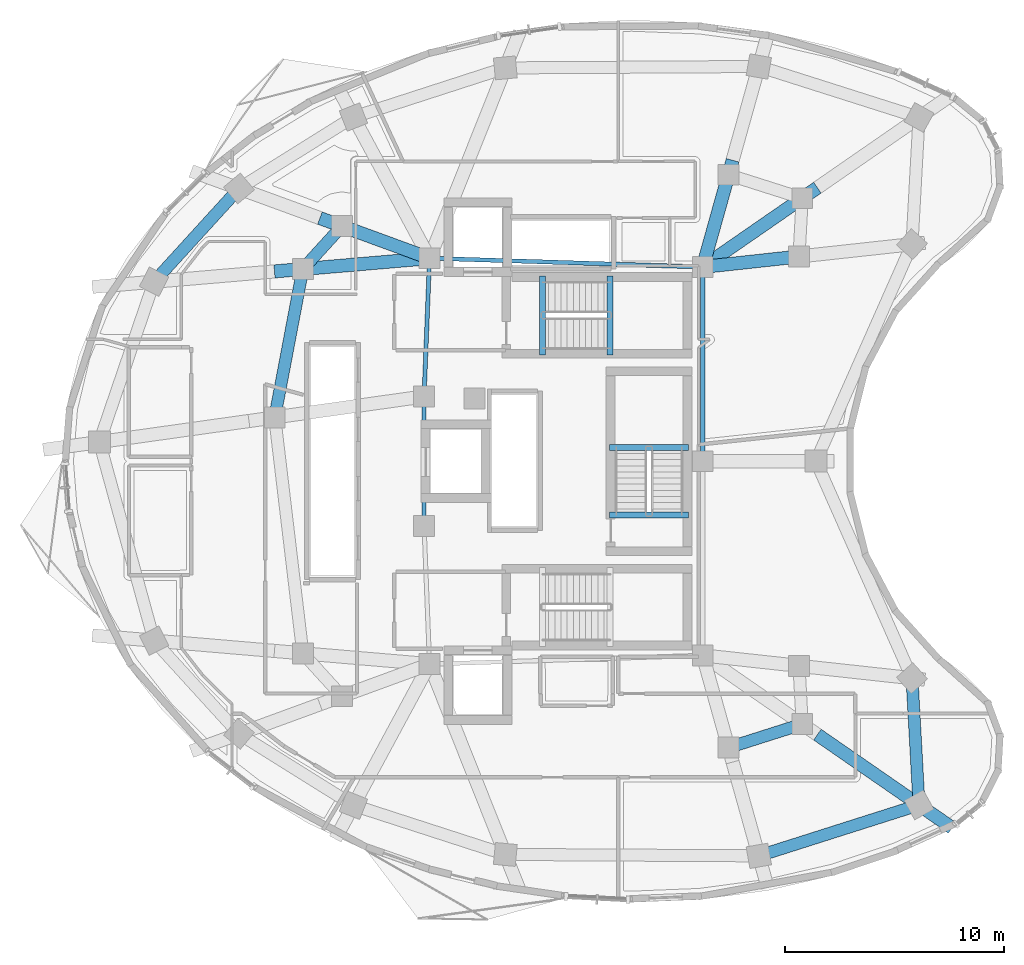
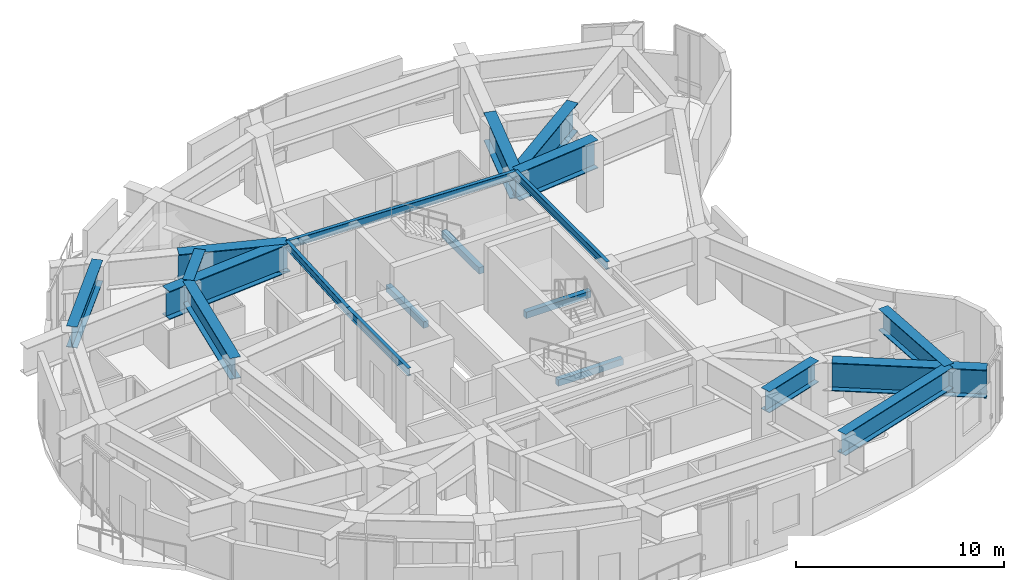
# One storey, part 3 of 13: 20 beams.
"""IFC4 building model written with IfcOpenShell, lengths in metres."""

from ifc_helpers import new_model, si_unit, direction, frame, origin, origin_2d, place, context, subcontext, project, spatial, rectangle, i_section, extrude, material, material_profile, profile_set, type_object, element, save


model = new_model("IFC4")

# Units and contexts
model_context = context("Model", 3, precision=1e-05, world=origin(), true_north=direction((0.0, 1.0)))
body_context = subcontext(model_context, "Body", "Model", "MODEL_VIEW")
ifc_project = project(units=[si_unit("LENGTHUNIT", "METRE"), si_unit("AREAUNIT", "SQUARE_METRE"), si_unit("VOLUMEUNIT", "CUBIC_METRE"), si_unit("PLANEANGLEUNIT", "RADIAN"), si_unit("MASSUNIT", "GRAM", prefix="KILO")], contexts=[model_context])

# Site, building, storey
site_placement = place(None, origin())
site = spatial("IfcSite", under=ifc_project, at=site_placement, CompositionType="ELEMENT")
building_placement = place(site_placement, origin())
building = spatial("IfcBuilding", under=site, at=building_placement, Name="Korentha Bioscience Tower", CompositionType="ELEMENT")
storey_placement = place(building_placement, frame((0.0, 0.0, 208.800048828125)))
storey = spatial("IfcBuildingStorey", under=building, at=storey_placement, Name="L48", CompositionType="ELEMENT", Elevation=208.800048828125)

# Beams
ifc_material_1 = material(Name="Concrete C50", Category="concrete")
ifc_material_profile_1 = material_profile(ifc_material_1, rectangle(XDim=0.280029296875, YDim=0.3798828125, at=origin_2d()), Name="Concrete C50")
ifc_profile_set_1 = profile_set([ifc_material_profile_1], Name="Concrete C50 (ST-HB380)")
beam_type_1 = type_object("IfcBeamType", Name="Concrete Stair Header Beam RC 280x380", PredefinedType="BEAM", material=ifc_profile_set_1)
for number, where, z_axis, x_axis, name in (
    (1, (30.25, 31.85009765625, -0.18994140625), (0.0, 1.0, 0.0), (-1.0, 0.0, 0.0), "L48 ST-1 Concrete Stair Header Beam"),
    (2, (33.330078125, 31.85009765625, 1.909912109375), (0.0, 1.0, 0.0), (-1.0, 0.0, 0.0), "L48 ST-1 Half-Landing Header Beam 1"),
    (3, (36.89990234375, 24.550048828125, -0.18994140625), (-1.0, 0.0, 0.0), (0.0, -1.0, 0.0), "L48 ST-3 Concrete Stair Header Beam"),
    (4, (36.89990234375, 27.6298828125, 1.909912109375), (-1.0, 0.0, 0.0), (0.0, -1.0, 0.0), "L48 ST-3 Half-Landing Header Beam 1"),
):
    element("IfcBeam", number, at=place(storey_placement, frame(where, z_axis=z_axis, x_axis=x_axis)), inside=storey, type_object=beam_type_1, Name=name, PredefinedType="BEAM", context=body_context, shape_type="SweptSolid", body=[
        extrude(rectangle(XDim=0.280029296875, YDim=0.3798828125, at=origin_2d()), origin(), (0.0, 0.0, 1.0), 3.599853515625),
    ])
ifc_material_2 = material(Name="Steel S355", Category="steel")
ifc_material_profile_2 = material_profile(ifc_material_2, i_section(OverallWidth=0.550048828125, OverallDepth=1.25, WebThickness=0.02392578125, FlangeThickness=0.0400390625, at=origin_2d()), Name="Steel S355")
ifc_profile_set_2 = profile_set([ifc_material_profile_2], Name="Steel S355 (TG-03)")
beam_type_2 = type_object("IfcBeamType", Name="Crown Step Transfer Girder CVS 1250x510", PredefinedType="USERDEFINED", material=ifc_profile_set_2)
beam_1_placement = place(storey_placement, frame((21.105224609375, 37.711669921875, 3.2548828125), z_axis=(-0.673513544519, -0.739174881438, 0.0), x_axis=(0.739174881438, -0.673513544519, 0.0)))
element("IfcBeam", 5, at=beam_1_placement, inside=storey, type_object=beam_type_2, Name="L48 Mid-Ring Tie Girder 05", ObjectType="TRANSFER_GIRDER", PredefinedType="USERDEFINED", context=body_context, shape_type="SweptSolid", body=[
    extrude(i_section(OverallWidth=0.550048828125, OverallDepth=1.25, WebThickness=0.02392578125, FlangeThickness=0.0400390625, at=origin_2d()), origin(), (0.0, 0.0, 1.0), 2.6435546875),
])
beam_2_placement = place(storey_placement, frame((19.32470703125, 35.757568359375, 3.2548828125), z_axis=(-0.18622207702, -0.982507678357, 0.0), x_axis=(0.982507678357, -0.18622207702, 0.0)))
element("IfcBeam", 6, at=beam_2_placement, inside=storey, type_object=beam_type_2, Name="L48 Mid-Ring Tie Girder 06", ObjectType="TRANSFER_GIRDER", PredefinedType="USERDEFINED", context=body_context, shape_type="SweptSolid", body=[
    extrude(i_section(OverallWidth=0.550048828125, OverallDepth=1.25, WebThickness=0.02392578125, FlangeThickness=0.0400390625, at=origin_2d()), origin(), (0.0, 0.0, 1.0), 6.8828125),
])
beam_3_placement = place(storey_placement, frame((38.72607421875, 13.947021484375, 3.2548828125), z_axis=(0.953017639844, 0.302914803446, 0.0), x_axis=(-0.302914803446, 0.953017639844, 0.0)))
element("IfcBeam", 7, at=beam_3_placement, inside=storey, type_object=beam_type_2, Name="L48 Mid-Ring Tie Girder 12", ObjectType="TRANSFER_GIRDER", PredefinedType="USERDEFINED", context=body_context, shape_type="SweptSolid", body=[
    extrude(i_section(OverallWidth=0.550048828125, OverallDepth=1.25, WebThickness=0.02392578125, FlangeThickness=0.0400390625, at=origin_2d()), origin(), (0.0, 0.0, 1.0), 3.523681640625),
])
beam_4_placement = place(storey_placement, frame((16.415771484375, 39.427490234375, 3.2548828125), z_axis=(-0.673503408544, -0.739184116902, 0.0), x_axis=(0.739184116902, -0.673503408544, 0.0)))
element("IfcBeam", 8, at=beam_4_placement, inside=storey, type_object=beam_type_2, Name="L48 Perimeter Spandrel Girder 05", ObjectType="TRANSFER_GIRDER", PredefinedType="USERDEFINED", context=body_context, shape_type="SweptSolid", body=[
    extrude(i_section(OverallWidth=0.550048828125, OverallDepth=1.25, WebThickness=0.02392578125, FlangeThickness=0.0400390625, at=origin_2d()), origin(), (0.0, 0.0, 1.0), 5.74658203125),
])
beam_5_placement = place(storey_placement, frame((40.106689453125, 9.012939453125, 3.2548828125), z_axis=(0.953001929023, 0.30296422772, 0.0), x_axis=(-0.30296422772, 0.953001929023, 0.0)))
element("IfcBeam", 9, at=beam_5_placement, inside=storey, type_object=beam_type_2, Name="L48 Perimeter Spandrel Girder 12", ObjectType="TRANSFER_GIRDER", PredefinedType="USERDEFINED", context=body_context, shape_type="SweptSolid", body=[
    extrude(i_section(OverallWidth=0.550048828125, OverallDepth=1.25, WebThickness=0.02392578125, FlangeThickness=0.0400390625, at=origin_2d()), origin(), (0.0, 0.0, 1.0), 7.660400390625),
])
beam_6_placement = place(storey_placement, frame((47.406982421875, 11.333740234375, 3.2548828125), z_axis=(-0.055107780824, 0.998480411672, 0.0), x_axis=(-0.998480411672, -0.055107780824, 0.0)))
element("IfcBeam", 10, at=beam_6_placement, inside=storey, type_object=beam_type_2, Name="L48 Perimeter Spandrel Girder 13", ObjectType="TRANSFER_GIRDER", PredefinedType="USERDEFINED", context=body_context, shape_type="SweptSolid", body=[
    extrude(i_section(OverallWidth=0.550048828125, OverallDepth=1.25, WebThickness=0.02392578125, FlangeThickness=0.0400390625, at=origin_2d()), origin(), (0.0, 0.0, 1.0), 5.785888671875),
])
ifc_material_profile_3 = material_profile(ifc_material_2, i_section(OverallWidth=0.60009765625, OverallDepth=1.64990234375, WebThickness=0.02587890625, FlangeThickness=0.0439453125, at=origin_2d()), Name="Steel S355")
ifc_profile_set_3 = profile_set([ifc_material_profile_3], Name="Steel S355 (TG-04)")
beam_type_3 = type_object("IfcBeamType", Name="Deep Setback Transfer Girder CVS 1650x620", PredefinedType="USERDEFINED", material=ifc_profile_set_3)
beam_7_placement = place(storey_placement, frame((37.550048828125, 35.85009765625, 3.054931640625), z_axis=(0.822490816724, 0.568778389537, 0.0), x_axis=(-0.568778389537, 0.822490816724, 0.0)))
element("IfcBeam", 11, at=beam_7_placement, inside=storey, type_object=beam_type_3, Name="L48 Inner Radial Transfer Girder 01", ObjectType="TRANSFER_GIRDER", PredefinedType="USERDEFINED", context=body_context, shape_type="SweptSolid", body=[
    extrude(i_section(OverallWidth=0.60009765625, OverallDepth=1.64990234375, WebThickness=0.02587890625, FlangeThickness=0.0439453125, at=origin_2d()), origin(), (0.0, 0.0, 1.0), 6.354736328125),
])
beam_8_placement = place(storey_placement, frame((37.550048828125, 35.85009765625, 3.054931640625), z_axis=(0.269475733077, 0.963007180286, 0.0), x_axis=(-0.963007180286, 0.269475733077, 0.0)))
element("IfcBeam", 12, at=beam_8_placement, inside=storey, type_object=beam_type_3, Name="L48 Inner Radial Transfer Girder 02", ObjectType="TRANSFER_GIRDER", PredefinedType="USERDEFINED", context=body_context, shape_type="SweptSolid", body=[
    extrude(i_section(OverallWidth=0.60009765625, OverallDepth=1.64990234375, WebThickness=0.02587890625, FlangeThickness=0.0439453125, at=origin_2d()), origin(), (0.0, 0.0, 1.0), 5.05078125),
])
beam_9_placement = place(storey_placement, frame((25.10009765625, 36.25, 3.054931640625), z_axis=(-0.939113825958, 0.34360620177, 0.0), x_axis=(-0.34360620177, -0.939113825958, 0.0)))
element("IfcBeam", 13, at=beam_9_placement, inside=storey, type_object=beam_type_3, Name="L48 Inner Radial Transfer Girder 05", ObjectType="TRANSFER_GIRDER", PredefinedType="USERDEFINED", context=body_context, shape_type="SweptSolid", body=[
    extrude(i_section(OverallWidth=0.60009765625, OverallDepth=1.64990234375, WebThickness=0.02587890625, FlangeThickness=0.0439453125, at=origin_2d()), origin(), (0.0, 0.0, 1.0), 5.32177734375),
])
beam_10_placement = place(storey_placement, frame((25.10009765625, 36.25, 3.054931640625), z_axis=(-0.996386862802, -0.084930675464, 0.0), x_axis=(0.084930675464, -0.996386862802, 0.0)))
element("IfcBeam", 14, at=beam_10_placement, inside=storey, type_object=beam_type_3, Name="L48 Inner Radial Transfer Girder 06", ObjectType="TRANSFER_GIRDER", PredefinedType="USERDEFINED", context=body_context, shape_type="SweptSolid", body=[
    extrude(i_section(OverallWidth=0.60009765625, OverallDepth=1.64990234375, WebThickness=0.02587890625, FlangeThickness=0.0439453125, at=origin_2d()), origin(), (0.0, 0.0, 1.0), 7.094482421875),
])
beam_11_placement = place(storey_placement, frame((42.77685546875, 14.535400390625, 3.054931640625), z_axis=(0.822494853441, -0.568772552135, 0.0), x_axis=(0.568772552135, 0.822494853441, 0.0)))
element("IfcBeam", 15, at=beam_11_placement, inside=storey, type_object=beam_type_3, Name="L48 Outer Radial Transfer Girder 13", ObjectType="TRANSFER_GIRDER", PredefinedType="USERDEFINED", context=body_context, shape_type="SweptSolid", body=[
    extrude(i_section(OverallWidth=0.60009765625, OverallDepth=1.64990234375, WebThickness=0.02587890625, FlangeThickness=0.0439453125, at=origin_2d()), origin(), (0.0, 0.0, 1.0), 7.460205078125),
])
beam_12_placement = place(storey_placement, frame((37.550048828125, 35.85009765625, 3.054931640625), z_axis=(0.994119231427, 0.108291060139, 0.0), x_axis=(-0.108291060139, 0.994119231427, 0.0)))
element("IfcBeam", 16, at=beam_12_placement, inside=storey, type_object=beam_type_3, Name="L48 Inner Radial Transfer Girder 16", ObjectType="TRANSFER_GIRDER", PredefinedType="USERDEFINED", context=body_context, shape_type="SweptSolid", body=[
    extrude(i_section(OverallWidth=0.60009765625, OverallDepth=1.64990234375, WebThickness=0.02587890625, FlangeThickness=0.0439453125, at=origin_2d()), origin(), (0.0, 0.0, 1.0), 4.6826171875),
])
ifc_material_profile_4 = material_profile(ifc_material_2, i_section(OverallWidth=0.18994140625, OverallDepth=0.45703125, WebThickness=0.009033203125, FlangeThickness=0.014404296875, at=origin_2d()), Name="Steel S355")
ifc_profile_set_4 = profile_set([ifc_material_profile_4], Name="Steel S355 (MB-460)")
beam_type_4 = type_object("IfcBeamType", Name="Mid-Ring Tie Girder W460x74", PredefinedType="BEAM", material=ifc_profile_set_4)
beam_13_placement = place(storey_placement, frame((37.550048828125, 35.85009765625, 3.6513671875), z_axis=(-0.999484526071, 0.032104238723, 0.0), x_axis=(-0.032104238723, -0.999484526071, 0.0)))
element("IfcBeam", 17, at=beam_13_placement, inside=storey, type_object=beam_type_4, Name="L48 Core Ring Tie Girder 01", PredefinedType="BEAM", context=body_context, shape_type="SweptSolid", body=[
    extrude(i_section(OverallWidth=0.18994140625, OverallDepth=0.45703125, WebThickness=0.009033203125, FlangeThickness=0.014404296875, at=origin_2d()), origin(), (0.0, 0.0, 1.0), 12.456298828125),
])
beam_14_placement = place(storey_placement, frame((25.10009765625, 36.25, 3.6513671875), z_axis=(-0.039651025576, -0.999213588864, 0.0), x_axis=(0.999213588864, -0.039651025576, 0.0)))
element("IfcBeam", 18, at=beam_14_placement, inside=storey, type_object=beam_type_4, Name="L48 Core Ring Tie Girder 02", PredefinedType="BEAM", context=body_context, shape_type="SweptSolid", body=[
    extrude(i_section(OverallWidth=0.18994140625, OverallDepth=0.45703125, WebThickness=0.009033203125, FlangeThickness=0.014404296875, at=origin_2d()), origin(), (0.0, 0.0, 1.0), 6.304931640625),
])
beam_15_placement = place(storey_placement, frame((24.85009765625, 29.949951171875, 3.6513671875), z_axis=(0.0, -1.0, 0.0), x_axis=(1.0, 0.0, 0.0)))
element("IfcBeam", 19, at=beam_15_placement, inside=storey, type_object=beam_type_4, Name="L48 Core Ring Tie Girder 03", PredefinedType="BEAM", context=body_context, shape_type="SweptSolid", body=[
    extrude(i_section(OverallWidth=0.18994140625, OverallDepth=0.45703125, WebThickness=0.009033203125, FlangeThickness=0.014404296875, at=origin_2d()), origin(), (0.0, 0.0, 1.0), 5.89990234375),
])
beam_16_placement = place(storey_placement, frame((37.550048828125, 27.0, 3.6513671875), z_axis=(0.0, 1.0, 0.0), x_axis=(-1.0, 0.0, 0.0)))
element("IfcBeam", 20, at=beam_16_placement, inside=storey, type_object=beam_type_4, Name="L48 Core Ring Tie Girder 07", PredefinedType="BEAM", context=body_context, shape_type="SweptSolid", body=[
    extrude(i_section(OverallWidth=0.18994140625, OverallDepth=0.45703125, WebThickness=0.009033203125, FlangeThickness=0.014404296875, at=origin_2d()), origin(), (0.0, 0.0, 1.0), 8.85009765625),
])

save(model, "model.ifc")
